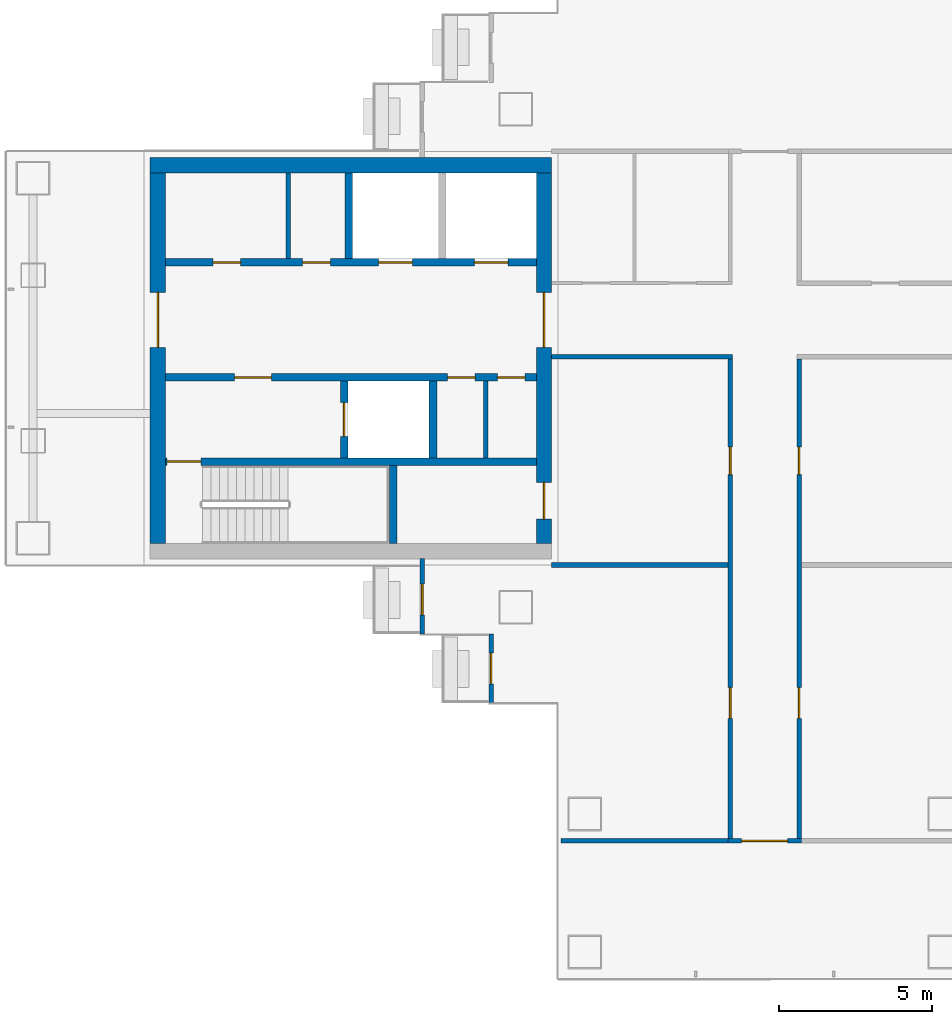
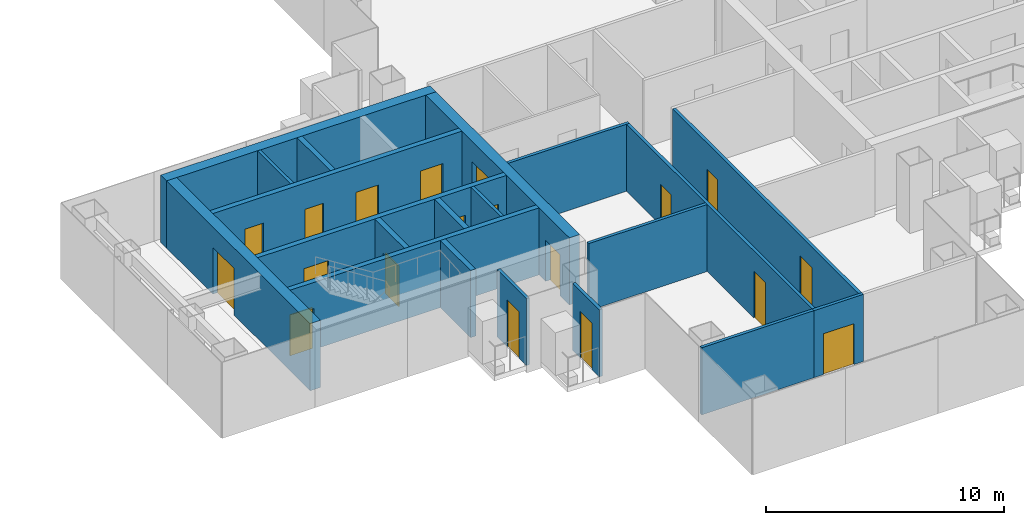
# One storey, part 11 of 17: 20 walls, 19 doors, 19 openings.
"""IFC4 building model written with IfcOpenShell, lengths in metres."""

import ifcopenshell
import ifcopenshell.guid

model = None  # the IFC model being written
_history = None  # IfcOwnerHistory: only IFC2X3 demands one
_inside = {}  # id of a spatial element -> (the spatial element, [elements in it])
_under = {}  # id of a project, library or spatial element -> (it, [spatial elements below it])
_declared = {}  # id of a project -> (the project, [libraries it declares])
_typed = {}  # id of a type object -> (the type object, [elements of that type])
_made_of = {}  # id of a material, layer set ... -> (it, [elements and type objects made of it])


def new_model(schema):
    """Start an empty IFC model of exactly this schema.

    Asked for "IFC4X3", IfcOpenShell would pick the latest addendum, in which some entities
    have other attributes; the version numbers below select the first issue.
    IFC2X3 requires an IfcOwnerHistory on every rooted entity: one is made here for all.
    """
    global model, _history
    if schema == "IFC4X3":
        model = ifcopenshell.file(schema_version=(4, 3, 0, 0))
    else:
        model = ifcopenshell.file(schema=schema)
    _inside.clear()
    _under.clear()
    _declared.clear()
    _typed.clear()
    _made_of.clear()
    _history = None
    if model.schema == "IFC2X3":
        org = make("IfcOrganization", Name="unknown")
        user = make(
            "IfcPersonAndOrganization",
            ThePerson=make("IfcPerson", FamilyName="unknown"),
            TheOrganization=org,
        )
        app = make(
            "IfcApplication",
            ApplicationDeveloper=org,
            Version="unknown",
            ApplicationFullName="unknown",
            ApplicationIdentifier="unknown",
        )
        _history = make(
            "IfcOwnerHistory",
            OwningUser=user,
            OwningApplication=app,
            ChangeAction="ADDED",
            CreationDate=0,
        )
    return model


def make(cls, **values):
    """One entity of the class cls with the attributes given. An attribute that is None is left unset."""
    return model.create_entity(
        cls, **{name: value for name, value in values.items() if value is not None}
    )


def rooted(cls, **values):
    """An entity with a GlobalId (a new one), such as an element, a storey or a relation."""
    return make(cls, GlobalId=ifcopenshell.guid.new(), OwnerHistory=_history, **values)


def si_unit(unit_type, name, prefix=None):
    """IfcSIUnit, for example si_unit("LENGTHUNIT", "METRE", prefix="MILLI")."""
    return make("IfcSIUnit", UnitType=unit_type, Prefix=prefix, Name=name)


def assignment(units):
    """IfcUnitAssignment: the units of a project."""
    return None if units is None else make("IfcUnitAssignment", Units=units)


def point(xyz):
    """IfcCartesianPoint."""
    return None if xyz is None else make("IfcCartesianPoint", Coordinates=xyz)


def direction(xyz):
    """IfcDirection."""
    return None if xyz is None else make("IfcDirection", DirectionRatios=xyz)


def frame(location, z_axis=None, x_axis=None):
    """IfcAxis2Placement3D, a coordinate frame: its origin and axes. An axis left out is left unset."""
    return make(
        "IfcAxis2Placement3D",
        Location=point(location),
        Axis=direction(z_axis),
        RefDirection=direction(x_axis),
    )


def frame_2d(location, x_axis=None):
    """IfcAxis2Placement2D, a coordinate frame in the plane: its origin and x axis."""
    return make(
        "IfcAxis2Placement2D", Location=point(location), RefDirection=direction(x_axis)
    )


def origin():
    """The frame at (0, 0, 0) with its axes left unset."""
    return frame((0.0, 0.0, 0.0))


def place(relative_to, where):
    """IfcLocalPlacement: puts the frame where relative to a parent placement (None: the world)."""
    return make(
        "IfcLocalPlacement", PlacementRelTo=relative_to, RelativePlacement=where
    )


def context(
    kind, dimensions, precision=None, world=None, true_north=None, identifier=None
):
    """IfcGeometricRepresentationContext, for example the 3D "Model" context."""
    return make(
        "IfcGeometricRepresentationContext",
        ContextIdentifier=identifier,
        ContextType=kind,
        CoordinateSpaceDimension=dimensions,
        Precision=precision,
        WorldCoordinateSystem=world,
        TrueNorth=true_north,
    )


def subcontext(parent, identifier, kind, view, scale=None):
    """IfcGeometricRepresentationSubContext, for example "Body" below "Model"."""
    return make(
        "IfcGeometricRepresentationSubContext",
        ContextIdentifier=identifier,
        ContextType=kind,
        ParentContext=parent,
        TargetScale=scale,
        TargetView=view,
    )


def project(units=None, contexts=None):
    """IfcProject with its units and contexts."""
    return rooted(
        "IfcProject",
        Name="project",
        RepresentationContexts=contexts,
        UnitsInContext=assignment(units),
    )


def spatial(cls, under=None, at=None, **own):
    """A site, building, storey or space (cls), placed at a placement, below another one or the project."""
    s = rooted(cls, ObjectPlacement=at, **own)
    if under is not None:
        _under.setdefault(under.id(), (under, []))[1].append(s)
    return s


def profile(cls, at=None, kind="AREA", **sizes):
    """A parametric profile (cls). Its sizes go by their IFC names, for example OverallWidth=200.0."""
    return make(cls, ProfileType=kind, Position=at, **sizes)


def rectangle(**sizes):
    """IfcRectangleProfileDef."""
    return profile("IfcRectangleProfileDef", **sizes)


def extrude(swept, where, along, depth):
    """IfcExtrudedAreaSolid: the profile swept, set in the frame where, extruded along a direction by depth."""
    return make(
        "IfcExtrudedAreaSolid",
        SweptArea=swept,
        Position=where,
        ExtrudedDirection=direction(along),
        Depth=depth,
    )


def shape(context_of_items, identifier, shape_type, items):
    """IfcShapeRepresentation: the items that make up one representation, for example the "Body"."""
    return make(
        "IfcShapeRepresentation",
        ContextOfItems=context_of_items,
        RepresentationIdentifier=identifier,
        RepresentationType=shape_type,
        Items=items,
    )


def material(Name=None, Category=None):
    """IfcMaterial."""
    return make("IfcMaterial", Name=Name, Category=Category)


def layer(
    of_material, thickness, ventilated=None, Name=None, Category=None, Priority=None
):
    """IfcMaterialLayer: one layer of a wall or slab, of a material (None: an air gap)."""
    return make(
        "IfcMaterialLayer",
        Material=of_material,
        LayerThickness=thickness,
        IsVentilated=ventilated,
        Name=Name,
        Category=Category,
        Priority=Priority,
    )


def layer_set(layers, Name=None):
    """IfcMaterialLayerSet."""
    return make("IfcMaterialLayerSet", MaterialLayers=layers, LayerSetName=Name)


def made_of(thing, what):
    """Note that an element or type object is made of a material, layer set ...; save() writes the relation."""
    if what is not None:
        _made_of.setdefault(what.id(), (what, []))[1].append(thing)
    return thing


def type_object(cls, material=None, **own):
    """A type object (cls), such as IfcWallType, which elements share."""
    return made_of(rooted(cls, **own), material)


def element(
    cls,
    number,
    at=None,
    inside=None,
    cuts=None,
    type_object=None,
    material=None,
    context=None,
    identifier="Body",
    shape_type=None,
    held_by="IfcProductDefinitionShape",
    body=None,
    shapes=None,
    **own,
):
    """One element of the class cls, such as IfcWall. Its Tag is "e" and its number.

    at: its placement. inside: the storey or other place that contains it. cuts: it is an
    opening in that element (IfcRelVoidsElement). A single representation is given by context,
    identifier, shape_type and body (its items); several are given by shapes. held_by: the class
    of the entity that holds the representations. save() writes the other relations.
    """
    e = rooted(cls, Tag="e%d" % number, ObjectPlacement=at, **own)
    if body is not None:
        shapes = [shape(context, identifier, shape_type, body)]
    if shapes is not None:
        e.Representation = make(held_by, Representations=shapes)
    if inside is not None:
        _inside.setdefault(inside.id(), (inside, []))[1].append(e)
    if cuts is not None:
        rooted(
            "IfcRelVoidsElement", RelatingBuildingElement=cuts, RelatedOpeningElement=e
        )
    if type_object is not None:
        _typed.setdefault(type_object.id(), (type_object, []))[1].append(e)
    return made_of(e, material)


def fill(opening, filler):
    """IfcRelFillsElement: the door or window that sits in an opening."""
    return rooted(
        "IfcRelFillsElement",
        RelatingOpeningElement=opening,
        RelatedBuildingElement=filler,
    )


def aggregate(whole, parts):
    """IfcRelAggregates: a whole, such as a stair, and the parts it consists of."""
    return rooted("IfcRelAggregates", RelatingObject=whole, RelatedObjects=parts)


def save(model, path):
    """Write the relations noted so far, then the file.

    IfcRelAggregates (storeys below a building ...), IfcRelContainedInSpatialStructure (elements
    in a storey), IfcRelDefinesByType, IfcRelAssociatesMaterial and IfcRelDeclares: one each for
    every whole, place, type object, material and project.
    """
    for whole, parts in _under.values():
        aggregate(whole, parts)
    for where, things in _inside.values():
        rooted(
            "IfcRelContainedInSpatialStructure",
            RelatedElements=things,
            RelatingStructure=where,
        )
    for kind, things in _typed.values():
        rooted("IfcRelDefinesByType", RelatedObjects=things, RelatingType=kind)
    for what, things in _made_of.values():
        rooted("IfcRelAssociatesMaterial", RelatedObjects=things, RelatingMaterial=what)
    for by, libraries in _declared.values():
        rooted("IfcRelDeclares", RelatingContext=by, RelatedDefinitions=libraries)
    model.write(path)


model = new_model("IFC4")

# Units and contexts
model_context = context("Model", 3, precision=1e-05, world=origin(), true_north=direction((0.0, 1.0)))
body_context = subcontext(model_context, "Body", "Model", "MODEL_VIEW")
ifc_project = project(units=[si_unit("LENGTHUNIT", "METRE"), si_unit("AREAUNIT", "SQUARE_METRE"), si_unit("VOLUMEUNIT", "CUBIC_METRE"), si_unit("PLANEANGLEUNIT", "RADIAN"), si_unit("MASSUNIT", "GRAM", prefix="KILO")], contexts=[model_context])

# Site, building, storey
site_placement = place(None, origin())
site = spatial("IfcSite", under=ifc_project, at=site_placement, CompositionType="ELEMENT")
building_placement = place(site_placement, origin())
building = spatial("IfcBuilding", under=site, at=building_placement, Name="Shamsa Quay Exchange Towers", CompositionType="ELEMENT")
storey_placement = place(building_placement, frame((0.0, 0.0, 174.0)))
storey = spatial("IfcBuildingStorey", under=building, at=storey_placement, Name="L41", CompositionType="ELEMENT", Elevation=174.0)

# Wall, opening, door
ifc_material_1 = material(Name="Aluminium EN AW-6063 T6, black anodised, with black enamelled glass infill", Category="aluminium")
ifc_layer_1 = layer(ifc_material_1, 0.14990234375)
ifc_layer_set_1 = layer_set([ifc_layer_1], Name="BALCONY DOOR BAY WALL 150")
wall_type_1 = type_object("IfcWallType", Name="BALCONY DOOR BAY WALL 150", PredefinedType="SOLIDWALL", material=ifc_layer_set_1)
wall_1_placement = place(storey_placement, frame((22.574951171875, -9.0, 0.0), z_axis=(0.0, 0.0, 1.0), x_axis=(0.0, 1.0, 0.0)))
wall_1 = element("IfcWall", 1, at=wall_1_placement, inside=storey, type_object=wall_type_1, Name="Door bay T2-PKWN L41", PredefinedType="SOLIDWALL", context=body_context, shape_type="SweptSolid", body=[
    extrude(rectangle(XDim=2.45703125, YDim=0.14990234375, at=frame_2d((1.228515625, 0.0))), origin(), (0.0, 0.0, 1.0), 3.449951171875),
])
opening_1_placement = place(wall_1_placement, frame((0.625, 0.0, 0.0)))
opening_1 = element("IfcOpeningElement", 2, at=opening_1_placement, cuts=wall_1, Name="Opening XD269", PredefinedType="OPENING", context=body_context, shape_type="SweptSolid", body=[
    extrude(rectangle(XDim=1.0, YDim=2.39990234375, at=frame_2d((0.5, 1.199951171875))), frame((0.0, 0.0849609375, 0.0), z_axis=(0.0, -1.0, 0.0), x_axis=(1.0, 0.0, 0.0)), (0.0, 0.0, 1.0), 0.169921875),
])
ifc_material_2 = material(Name="Aluminium EN AW-6063 T6, black anodised, with laminated glass leaf", Category="aluminium")
door_type_1 = type_object("IfcDoorType", Name="BALCONY DOOR 1000x2400", OperationType="SINGLE_SWING_LEFT", PredefinedType="DOOR", material=ifc_material_2)
door_1_placement = place(opening_1_placement, origin())
door_1 = element("IfcDoor", 3, at=door_1_placement, inside=storey, type_object=door_type_1, Name="Balcony door T2-PKWN L41", OperationType="SINGLE_SWING_LEFT", OverallHeight=2.39990234375, OverallWidth=1.0, PredefinedType="DOOR", context=body_context, shape_type="SweptSolid", body=[
    extrude(rectangle(XDim=1.0, YDim=2.39990234375, at=frame_2d((0.5, 1.199951171875))), frame((0.0, 0.02490234375, 0.0), z_axis=(0.0, -1.0, 0.0), x_axis=(1.0, 0.0, 0.0)), (0.0, 0.0, 1.0), 0.050048828125),
])
fill(opening_1, door_1)

wall_2_placement = place(storey_placement, frame((24.824951171875, -11.25, 0.0), z_axis=(0.0, 0.0, 1.0), x_axis=(0.0, 1.0, 0.0)))
wall_2 = element("IfcWall", 4, at=wall_2_placement, inside=storey, type_object=wall_type_1, Name="Door bay T2-PKWN L41", PredefinedType="SOLIDWALL", context=body_context, shape_type="SweptSolid", body=[
    extrude(rectangle(XDim=2.25, YDim=0.14990234375, at=frame_2d((1.125, 0.0))), origin(), (0.0, 0.0, 1.0), 3.449951171875),
])
opening_2_placement = place(wall_2_placement, frame((0.625, 0.0, 0.0)))
opening_2 = element("IfcOpeningElement", 5, at=opening_2_placement, cuts=wall_2, Name="Opening XD270", PredefinedType="OPENING", context=body_context, shape_type="SweptSolid", body=[
    extrude(rectangle(XDim=1.0, YDim=2.39990234375, at=frame_2d((0.5, 1.199951171875))), frame((0.0, 0.0849609375, 0.0), z_axis=(0.0, -1.0, 0.0), x_axis=(1.0, 0.0, 0.0)), (0.0, 0.0, 1.0), 0.169921875),
])
door_2_placement = place(opening_2_placement, origin())
door_2 = element("IfcDoor", 6, at=door_2_placement, inside=storey, type_object=door_type_1, Name="Balcony door T2-PKWN L41", OperationType="SINGLE_SWING_RIGHT", OverallHeight=2.39990234375, OverallWidth=1.0, PredefinedType="DOOR", context=body_context, shape_type="SweptSolid", body=[
    extrude(rectangle(XDim=1.0, YDim=2.39990234375, at=frame_2d((0.5, 1.199951171875))), frame((0.0, 0.02490234375, 0.0), z_axis=(0.0, -1.0, 0.0), x_axis=(1.0, 0.0, 0.0)), (0.0, 0.0, 1.0), 0.050048828125),
])
fill(opening_2, door_2)

# Wall
ifc_material_3 = material(Name="Concrete C60/75", Category="concrete")
ifc_layer_2 = layer(ifc_material_3, 0.5)
ifc_layer_set_2 = layer_set([ifc_layer_2], Name="CORE WALL 500 C60/75")
wall_type_2 = type_object("IfcWallType", Name="CORE WALL 500 C60/75", PredefinedType="SHEAR", material=ifc_layer_set_2)
wall_3_placement = place(storey_placement, frame((13.699951171875, 6.300048828125, 0.0)))
element("IfcWall", 7, at=wall_3_placement, inside=storey, type_object=wall_type_2, Name="Core wall T2A-R19-PN", PredefinedType="SHEAR", context=body_context, shape_type="SweptSolid", body=[
    extrude(rectangle(XDim=13.10009765625, YDim=0.5, at=frame_2d((6.550048828125, 0.0))), origin(), (0.0, 0.0, 1.0), 3.449951171875),
])

# Wall, opening, door
wall_4_placement = place(storey_placement, frame((13.949951171875, 6.050048828125, 0.0), z_axis=(0.0, 0.0, 1.0), x_axis=(0.0, -1.0, 0.0)))
wall_4 = element("IfcWall", 8, at=wall_4_placement, inside=storey, type_object=wall_type_2, Name="Core wall T2A-R19-PF", PredefinedType="SHEAR", context=body_context, shape_type="SweptSolid", body=[
    extrude(rectangle(XDim=12.10009765625, YDim=0.5, at=frame_2d((6.050048828125, 0.0))), origin(), (0.0, 0.0, 1.0), 3.449951171875),
])
opening_3_placement = place(wall_4_placement, frame((3.89990234375, 0.0, 0.0)))
opening_3 = element("IfcOpeningElement", 9, at=opening_3_placement, cuts=wall_4, Name="Opening T2A-R19-LBD01", PredefinedType="OPENING", context=body_context, shape_type="SweptSolid", body=[
    extrude(rectangle(XDim=1.800048828125, YDim=2.39990234375, at=frame_2d((0.89990234375, 1.199951171875))), frame((0.0, 0.260009765625, 0.0), z_axis=(0.0, -1.0, 0.0), x_axis=(1.0, 0.0, 0.0)), (0.0, 0.0, 1.0), 0.52001953125),
])
ifc_material_4 = material(Name="Steel, fire rated", Category="steel")
door_type_2 = type_object("IfcDoorType", Name="LIFT LOBBY DOOR PAIR 1800", OperationType="DOUBLE_DOOR_SINGLE_SWING", PredefinedType="DOOR", material=ifc_material_4)
door_3_placement = place(opening_3_placement, origin())
door_3 = element("IfcDoor", 10, at=door_3_placement, inside=storey, type_object=door_type_2, Name="T2A-R19-LBD01", OperationType="DOUBLE_DOOR_SINGLE_SWING", OverallHeight=2.39990234375, OverallWidth=1.800048828125, PredefinedType="DOOR", context=body_context, shape_type="SweptSolid", body=[
    extrude(rectangle(XDim=1.800048828125, YDim=2.39990234375, at=frame_2d((0.89990234375, 1.199951171875))), frame((0.0, 0.02490234375, 0.0), z_axis=(0.0, -1.0, 0.0), x_axis=(1.0, 0.0, 0.0)), (0.0, 0.0, 1.0), 0.050048828125),
])
fill(opening_3, door_3)

# Wall, openings, doors
wall_5_placement = place(storey_placement, frame((26.550048828125, 6.050048828125, 0.0), z_axis=(0.0, 0.0, 1.0), x_axis=(0.0, -1.0, 0.0)))
wall_5 = element("IfcWall", 11, at=wall_5_placement, inside=storey, type_object=wall_type_2, Name="Core wall T2A-R19-PB", PredefinedType="SHEAR", context=body_context, shape_type="SweptSolid", body=[
    extrude(rectangle(XDim=12.10009765625, YDim=0.5, at=frame_2d((6.050048828125, 0.0))), origin(), (0.0, 0.0, 1.0), 3.449951171875),
])
opening_4_placement = place(wall_5_placement, frame((10.10009765625, 0.0, 0.0)))
opening_4 = element("IfcOpeningElement", 12, at=opening_4_placement, cuts=wall_5, Name="Opening T2A-R19-RD02", PredefinedType="OPENING", context=body_context, shape_type="SweptSolid", body=[
    extrude(rectangle(XDim=1.199951171875, YDim=2.10009765625, at=frame_2d((0.60009765625, 1.050048828125))), frame((0.0, 0.260009765625, 0.0), z_axis=(0.0, -1.0, 0.0), x_axis=(1.0, 0.0, 0.0)), (0.0, 0.0, 1.0), 0.52001953125),
])
opening_5_placement = place(wall_5_placement, frame((3.89990234375, 0.0, 0.0)))
opening_5 = element("IfcOpeningElement", 13, at=opening_5_placement, cuts=wall_5, Name="Opening T2A-R19-LBD03", PredefinedType="OPENING", context=body_context, shape_type="SweptSolid", body=[
    extrude(rectangle(XDim=1.800048828125, YDim=2.39990234375, at=frame_2d((0.89990234375, 1.199951171875))), frame((0.0, 0.260009765625, 0.0), z_axis=(0.0, -1.0, 0.0), x_axis=(1.0, 0.0, 0.0)), (0.0, 0.0, 1.0), 0.52001953125),
])
door_4_placement = place(opening_5_placement, origin())
door_4 = element("IfcDoor", 14, at=door_4_placement, inside=storey, type_object=door_type_2, Name="T2A-R19-LBD03", OperationType="DOUBLE_DOOR_SINGLE_SWING", OverallHeight=2.39990234375, OverallWidth=1.800048828125, PredefinedType="DOOR", context=body_context, shape_type="SweptSolid", body=[
    extrude(rectangle(XDim=1.800048828125, YDim=2.39990234375, at=frame_2d((0.89990234375, 1.199951171875))), frame((0.0, 0.02490234375, 0.0), z_axis=(0.0, -1.0, 0.0), x_axis=(1.0, 0.0, 0.0)), (0.0, 0.0, 1.0), 0.050048828125),
])
fill(opening_5, door_4)
door_type_3 = type_object("IfcDoorType", Name="RISER ACCESS DOOR 1200", OperationType="SINGLE_SWING_LEFT", PredefinedType="DOOR", material=ifc_material_4)
door_5_placement = place(opening_4_placement, origin())
door_5 = element("IfcDoor", 15, at=door_5_placement, inside=storey, type_object=door_type_3, Name="T2A-R19-RD02", OperationType="SINGLE_SWING_RIGHT", OverallHeight=2.10009765625, OverallWidth=1.199951171875, PredefinedType="DOOR", context=body_context, shape_type="SweptSolid", body=[
    extrude(rectangle(XDim=1.199951171875, YDim=2.10009765625, at=frame_2d((0.60009765625, 1.050048828125))), frame((0.0, 0.02490234375, 0.0), z_axis=(0.0, -1.0, 0.0), x_axis=(1.0, 0.0, 0.0)), (0.0, 0.0, 1.0), 0.050048828125),
])
fill(opening_4, door_5)

# Walls
ifc_material_5 = material(Name="Gypsum board on steel studs, EI 60", Category="steel")
ifc_layer_3 = layer(ifc_material_5, 0.14990234375)
ifc_layer_set_3 = layer_set([ifc_layer_3], Name="FIRE PARTITION 150")
wall_type_3 = type_object("IfcWallType", Name="FIRE PARTITION 150", PredefinedType="PARTITIONING", material=ifc_layer_set_3)
wall_6_placement = place(storey_placement, frame((24.64990234375, -3.25, 0.0), z_axis=(0.0, 0.0, 1.0), x_axis=(0.0, 1.0, 0.0)))
element("IfcWall", 16, at=wall_6_placement, inside=storey, type_object=wall_type_3, Name="Partition T2A-R19-EC0", PredefinedType="PARTITIONING", context=body_context, shape_type="SweptSolid", body=[
    extrude(rectangle(XDim=2.5, YDim=0.14990234375, at=frame_2d((1.25, 0.0))), origin(), (0.0, 0.0, 1.0), 3.449951171875),
])
wall_7_placement = place(storey_placement, frame((18.199951171875, 3.25, 0.0), z_axis=(0.0, 0.0, 1.0), x_axis=(0.0, 1.0, 0.0)))
element("IfcWall", 17, at=wall_7_placement, inside=storey, type_object=wall_type_3, Name="Partition T2A-R19-FC0", PredefinedType="PARTITIONING", context=body_context, shape_type="SweptSolid", body=[
    extrude(rectangle(XDim=2.800048828125, YDim=0.14990234375, at=frame_2d((1.39990234375, 0.0))), origin(), (0.0, 0.0, 1.0), 3.449951171875),
])
ifc_material_6 = material(Name="Gypsum board partition on metal studs")
ifc_layer_4 = layer(ifc_material_6, 0.14990234375)
ifc_layer_set_4 = layer_set([ifc_layer_4], Name="Partition 150 mm EI 60")
wall_type_4 = type_object("IfcWallType", Name="Partition 150 mm EI 60", PredefinedType="PARTITIONING", material=ifc_layer_set_4)
wall_8_placement = place(storey_placement, frame((32.699951171875, 0.0498046875, 0.0), z_axis=(0.0, 0.0, 1.0), x_axis=(-1.0, 0.0, 0.0)))
element("IfcWall", 18, at=wall_8_placement, inside=storey, type_object=wall_type_4, Name="Partition T2-R19-W03", PredefinedType="PARTITIONING", context=body_context, shape_type="SweptSolid", body=[
    extrude(rectangle(XDim=5.89990234375, YDim=0.14990234375, at=frame_2d((2.949951171875, 0.0))), origin(), (0.0, 0.0, 1.0), 3.449951171875),
])

# Wall, openings, doors
wall_9_placement = place(storey_placement, frame((32.625, -15.675048828125, 0.0), z_axis=(0.0, 0.0, 1.0), x_axis=(0.0, 1.0, 0.0)))
wall_9 = element("IfcWall", 19, at=wall_9_placement, inside=storey, type_object=wall_type_4, Name="Partition T2-R19-W05", PredefinedType="PARTITIONING", context=body_context, shape_type="SweptSolid", body=[
    extrude(rectangle(XDim=15.64990234375, YDim=0.14990234375, at=frame_2d((7.824951171875, 0.0))), origin(), (0.0, 0.0, 1.0), 3.449951171875),
])
opening_6_placement = place(wall_9_placement, frame((11.875, 0.0, 0.0)))
opening_6 = element("IfcOpeningElement", 20, at=opening_6_placement, cuts=wall_9, Name="Opening T2-R19-D06", PredefinedType="OPENING", context=body_context, shape_type="SweptSolid", body=[
    extrude(rectangle(XDim=0.89990234375, YDim=2.10009765625, at=frame_2d((0.449951171875, 1.050048828125))), frame((0.0, 0.0849609375, 0.0), z_axis=(0.0, -1.0, 0.0), x_axis=(1.0, 0.0, 0.0)), (0.0, 0.0, 1.0), 0.169921875),
])
opening_7_placement = place(wall_9_placement, frame((3.925048828125, 0.0, 0.0)))
opening_7 = element("IfcOpeningElement", 21, at=opening_7_placement, cuts=wall_9, Name="Opening T2-R19-D07", PredefinedType="OPENING", context=body_context, shape_type="SweptSolid", body=[
    extrude(rectangle(XDim=1.0, YDim=2.39990234375, at=frame_2d((0.5, 1.199951171875))), frame((0.0, 0.0849609375, 0.0), z_axis=(0.0, -1.0, 0.0), x_axis=(1.0, 0.0, 0.0)), (0.0, 0.0, 1.0), 0.169921875),
])
ifc_material_7 = material(Name="Timber door leaf in a metal frame", Category="wood")
door_type_4 = type_object("IfcDoorType", Name="Door 1000x2400 FD30S", OperationType="NOTDEFINED", PredefinedType="DOOR", material=ifc_material_7)
door_6_placement = place(opening_7_placement, origin())
door_6 = element("IfcDoor", 22, at=door_6_placement, inside=storey, type_object=door_type_4, Name="Door T2-R19-D07", OperationType="SINGLE_SWING_LEFT", OverallHeight=2.39990234375, OverallWidth=1.0, PredefinedType="DOOR", context=body_context, shape_type="SweptSolid", body=[
    extrude(rectangle(XDim=1.0, YDim=2.39990234375, at=frame_2d((0.5, 1.199951171875))), frame((0.0, 0.02490234375, 0.0), z_axis=(0.0, -1.0, 0.0), x_axis=(1.0, 0.0, 0.0)), (0.0, 0.0, 1.0), 0.050048828125),
])
fill(opening_7, door_6)
door_type_5 = type_object("IfcDoorType", Name="Door 900x2100 FD30S", OperationType="NOTDEFINED", PredefinedType="DOOR", material=ifc_material_7)
door_7_placement = place(opening_6_placement, origin())
door_7 = element("IfcDoor", 23, at=door_7_placement, inside=storey, type_object=door_type_5, Name="Door T2-R19-D06", OperationType="SINGLE_SWING_RIGHT", OverallHeight=2.10009765625, OverallWidth=0.89990234375, PredefinedType="DOOR", context=body_context, shape_type="SweptSolid", body=[
    extrude(rectangle(XDim=0.89990234375, YDim=2.10009765625, at=frame_2d((0.449951171875, 1.050048828125))), frame((0.0, 0.02490234375, 0.0), z_axis=(0.0, -1.0, 0.0), x_axis=(1.0, 0.0, 0.0)), (0.0, 0.0, 1.0), 0.050048828125),
])
fill(opening_6, door_7)

wall_10_placement = place(storey_placement, frame((34.875, -0.025146484375, 0.0), z_axis=(0.0, 0.0, 1.0), x_axis=(0.0, -1.0, 0.0)))
wall_10 = element("IfcWall", 24, at=wall_10_placement, inside=storey, type_object=wall_type_4, Name="Partition T2-R19-W07", PredefinedType="PARTITIONING", context=body_context, shape_type="SweptSolid", body=[
    extrude(rectangle(XDim=15.64990234375, YDim=0.14990234375, at=frame_2d((7.824951171875, 0.0))), origin(), (0.0, 0.0, 1.0), 3.449951171875),
])
opening_8_placement = place(wall_10_placement, frame((10.724853515625, 0.0, 0.0)))
opening_8 = element("IfcOpeningElement", 25, at=opening_8_placement, cuts=wall_10, Name="Opening T2-R19-D02", PredefinedType="OPENING", context=body_context, shape_type="SweptSolid", body=[
    extrude(rectangle(XDim=1.0, YDim=2.39990234375, at=frame_2d((0.5, 1.199951171875))), frame((0.0, 0.0849609375, 0.0), z_axis=(0.0, -1.0, 0.0), x_axis=(1.0, 0.0, 0.0)), (0.0, 0.0, 1.0), 0.169921875),
])
opening_9_placement = place(wall_10_placement, frame((2.875, 0.0, 0.0)))
opening_9 = element("IfcOpeningElement", 26, at=opening_9_placement, cuts=wall_10, Name="Opening T2-R19-D03", PredefinedType="OPENING", context=body_context, shape_type="SweptSolid", body=[
    extrude(rectangle(XDim=0.89990234375, YDim=2.10009765625, at=frame_2d((0.449951171875, 1.050048828125))), frame((0.0, 0.0849609375, 0.0), z_axis=(0.0, -1.0, 0.0), x_axis=(1.0, 0.0, 0.0)), (0.0, 0.0, 1.0), 0.169921875),
])
door_8_placement = place(opening_8_placement, origin())
door_8 = element("IfcDoor", 27, at=door_8_placement, inside=storey, type_object=door_type_4, Name="Door T2-R19-D02", OperationType="SINGLE_SWING_RIGHT", OverallHeight=2.39990234375, OverallWidth=1.0, PredefinedType="DOOR", context=body_context, shape_type="SweptSolid", body=[
    extrude(rectangle(XDim=1.0, YDim=2.39990234375, at=frame_2d((0.5, 1.199951171875))), frame((0.0, 0.02490234375, 0.0), z_axis=(0.0, -1.0, 0.0), x_axis=(1.0, 0.0, 0.0)), (0.0, 0.0, 1.0), 0.050048828125),
])
fill(opening_8, door_8)
door_9_placement = place(opening_9_placement, origin())
door_9 = element("IfcDoor", 28, at=door_9_placement, inside=storey, type_object=door_type_5, Name="Door T2-R19-D03", OperationType="SINGLE_SWING_LEFT", OverallHeight=2.10009765625, OverallWidth=0.89990234375, PredefinedType="DOOR", context=body_context, shape_type="SweptSolid", body=[
    extrude(rectangle(XDim=0.89990234375, YDim=2.10009765625, at=frame_2d((0.449951171875, 1.050048828125))), frame((0.0, 0.02490234375, 0.0), z_axis=(0.0, -1.0, 0.0), x_axis=(1.0, 0.0, 0.0)), (0.0, 0.0, 1.0), 0.050048828125),
])
fill(opening_9, door_9)

# Wall, opening, door
wall_11_placement = place(storey_placement, frame((34.949951171875, -15.75, 0.0), z_axis=(0.0, 0.0, 1.0), x_axis=(-1.0, 0.0, 0.0)))
wall_11 = element("IfcWall", 29, at=wall_11_placement, inside=storey, type_object=wall_type_4, Name="Partition T2-R19-W10", PredefinedType="PARTITIONING", context=body_context, shape_type="SweptSolid", body=[
    extrude(rectangle(XDim=2.39990234375, YDim=0.14990234375, at=frame_2d((1.199951171875, 0.0))), origin(), (0.0, 0.0, 1.0), 3.449951171875),
])
opening_10_placement = place(wall_11_placement, frame((0.449951171875, 0.0, 0.0)))
opening_10 = element("IfcOpeningElement", 30, at=opening_10_placement, cuts=wall_11, Name="Opening T2-R19-D05", PredefinedType="OPENING", context=body_context, shape_type="SweptSolid", body=[
    extrude(rectangle(XDim=1.5, YDim=2.10009765625, at=frame_2d((0.75, 1.050048828125))), frame((0.0, 0.0849609375, 0.0), z_axis=(0.0, -1.0, 0.0), x_axis=(1.0, 0.0, 0.0)), (0.0, 0.0, 1.0), 0.169921875),
])
door_type_6 = type_object("IfcDoorType", Name="Door 1500x2100 FD30S pair", OperationType="NOTDEFINED", PredefinedType="DOOR", material=ifc_material_7)
door_10_placement = place(opening_10_placement, origin())
door_10 = element("IfcDoor", 31, at=door_10_placement, inside=storey, type_object=door_type_6, Name="Door T2-R19-D05", OperationType="DOUBLE_DOOR_SINGLE_SWING", OverallHeight=2.10009765625, OverallWidth=1.5, PredefinedType="DOOR", context=body_context, shape_type="SweptSolid", body=[
    extrude(rectangle(XDim=1.5, YDim=2.10009765625, at=frame_2d((0.75, 1.050048828125))), frame((0.0, 0.02490234375, 0.0), z_axis=(0.0, -1.0, 0.0), x_axis=(1.0, 0.0, 0.0)), (0.0, 0.0, 1.0), 0.050048828125),
])
fill(opening_10, door_10)

# Walls
wall_12_placement = place(storey_placement, frame((26.800048828125, -6.75, 0.0)))
element("IfcWall", 32, at=wall_12_placement, inside=storey, type_object=wall_type_4, Name="Partition T2-R19-W15", PredefinedType="PARTITIONING", context=body_context, shape_type="SweptSolid", body=[
    extrude(rectangle(XDim=5.75, YDim=0.14990234375, at=frame_2d((2.875, 0.0))), origin(), (0.0, 0.0, 1.0), 3.449951171875),
])
wall_13_placement = place(storey_placement, frame((27.094970703125, -15.75, 0.0)))
element("IfcWall", 33, at=wall_13_placement, inside=storey, type_object=wall_type_4, Name="Partition T2-R19-W17", PredefinedType="PARTITIONING", context=body_context, shape_type="SweptSolid", body=[
    extrude(rectangle(XDim=5.60498046875, YDim=0.14990234375, at=frame_2d((2.802490234375, 0.0))), origin(), (0.0, 0.0, 1.0), 3.449951171875),
])

# Wall, opening, door
ifc_material_8 = material(Name="Concrete C50/60", Category="concrete")
ifc_layer_5 = layer(ifc_material_8, 0.25)
ifc_layer_set_5 = layer_set([ifc_layer_5], Name="SHAFT WALL 250 C50/60")
wall_type_5 = type_object("IfcWallType", Name="SHAFT WALL 250 C50/60", PredefinedType="SHEAR", material=ifc_layer_set_5)
wall_14_placement = place(storey_placement, frame((26.300048828125, -3.375, 0.0), z_axis=(0.0, 0.0, 1.0), x_axis=(-1.0, 0.0, 0.0)))
wall_14 = element("IfcWall", 34, at=wall_14_placement, inside=storey, type_object=wall_type_5, Name="Shaft wall T2A-R19-STL", PredefinedType="SHEAR", context=body_context, shape_type="SweptSolid", body=[
    extrude(rectangle(XDim=12.10009765625, YDim=0.25, at=frame_2d((6.050048828125, 0.0))), origin(), (0.0, 0.0, 1.0), 3.449951171875),
])
opening_11_placement = place(wall_14_placement, frame((10.949951171875, 0.0, 0.0)))
opening_11 = element("IfcOpeningElement", 35, at=opening_11_placement, cuts=wall_14, Name="Opening T2A-R19-SD04", PredefinedType="OPENING", context=body_context, shape_type="SweptSolid", body=[
    extrude(rectangle(XDim=1.10009765625, YDim=2.10009765625, at=frame_2d((0.550048828125, 1.050048828125))), frame((0.0, 0.135009765625, 0.0), z_axis=(0.0, -1.0, 0.0), x_axis=(1.0, 0.0, 0.0)), (0.0, 0.0, 1.0), 0.27001953125),
])
door_type_7 = type_object("IfcDoorType", Name="STAIR DOOR 1100", OperationType="SINGLE_SWING_LEFT", PredefinedType="DOOR", material=ifc_material_4)
door_11_placement = place(opening_11_placement, origin())
door_11 = element("IfcDoor", 36, at=door_11_placement, inside=storey, type_object=door_type_7, Name="T2A-R19-SD04", OperationType="SINGLE_SWING_RIGHT", OverallHeight=2.10009765625, OverallWidth=1.10009765625, PredefinedType="DOOR", context=body_context, shape_type="SweptSolid", body=[
    extrude(rectangle(XDim=1.10009765625, YDim=2.10009765625, at=frame_2d((0.550048828125, 1.050048828125))), frame((0.0, 0.02490234375, 0.0), z_axis=(0.0, -1.0, 0.0), x_axis=(1.0, 0.0, 0.0)), (0.0, 0.0, 1.0), 0.050048828125),
])
fill(opening_11, door_11)

# Wall
wall_15_placement = place(storey_placement, frame((21.625, -6.050048828125, 0.0), z_axis=(0.0, 0.0, 1.0), x_axis=(0.0, 1.0, 0.0)))
element("IfcWall", 37, at=wall_15_placement, inside=storey, type_object=wall_type_5, Name="Shaft wall T2A-R19-STF", PredefinedType="SHEAR", context=body_context, shape_type="SweptSolid", body=[
    extrude(rectangle(XDim=2.550048828125, YDim=0.25, at=frame_2d((1.27490234375, 0.0))), origin(), (0.0, 0.0, 1.0), 3.449951171875),
])

# Wall, openings, doors
wall_16_placement = place(storey_placement, frame((26.300048828125, -0.625, 0.0), z_axis=(0.0, 0.0, 1.0), x_axis=(-1.0, 0.0, 0.0)))
wall_16 = element("IfcWall", 38, at=wall_16_placement, inside=storey, type_object=wall_type_5, Name="Shaft wall T2A-R19-B", PredefinedType="SHEAR", context=body_context, shape_type="SweptSolid", body=[
    extrude(rectangle(XDim=12.10009765625, YDim=0.25, at=frame_2d((6.050048828125, 0.0))), origin(), (0.0, 0.0, 1.0), 3.449951171875),
])
opening_12_placement = place(wall_16_placement, frame((8.64990234375, 0.0, 0.0)))
opening_12 = element("IfcOpeningElement", 39, at=opening_12_placement, cuts=wall_16, Name="Opening T2A-R19-FD05", PredefinedType="OPENING", context=body_context, shape_type="SweptSolid", body=[
    extrude(rectangle(XDim=1.199951171875, YDim=2.10009765625, at=frame_2d((0.60009765625, 1.050048828125))), frame((0.0, 0.135009765625, 0.0), z_axis=(0.0, -1.0, 0.0), x_axis=(1.0, 0.0, 0.0)), (0.0, 0.0, 1.0), 0.27001953125),
])
opening_13_placement = place(wall_16_placement, frame((2.0, 0.0, 0.0)))
opening_13 = element("IfcOpeningElement", 40, at=opening_13_placement, cuts=wall_16, Name="Opening T2A-R19-SV06", PredefinedType="OPENING", context=body_context, shape_type="SweptSolid", body=[
    extrude(rectangle(XDim=0.89990234375, YDim=2.10009765625, at=frame_2d((0.449951171875, 1.050048828125))), frame((0.0, 0.135009765625, 0.0), z_axis=(0.0, -1.0, 0.0), x_axis=(1.0, 0.0, 0.0)), (0.0, 0.0, 1.0), 0.27001953125),
])
opening_14_placement = place(wall_16_placement, frame((0.375, 0.0, 0.0)))
opening_14 = element("IfcOpeningElement", 41, at=opening_14_placement, cuts=wall_16, Name="Opening T2A-R19-SV07", PredefinedType="OPENING", context=body_context, shape_type="SweptSolid", body=[
    extrude(rectangle(XDim=0.89990234375, YDim=2.10009765625, at=frame_2d((0.449951171875, 1.050048828125))), frame((0.0, 0.135009765625, 0.0), z_axis=(0.0, -1.0, 0.0), x_axis=(1.0, 0.0, 0.0)), (0.0, 0.0, 1.0), 0.27001953125),
])
door_type_8 = type_object("IfcDoorType", Name="FIRE SERVICE LOBBY DOOR 1200", OperationType="SINGLE_SWING_LEFT", PredefinedType="DOOR", material=ifc_material_4)
door_12_placement = place(opening_12_placement, origin())
door_12 = element("IfcDoor", 42, at=door_12_placement, inside=storey, type_object=door_type_8, Name="T2A-R19-FD05", OperationType="SINGLE_SWING_RIGHT", OverallHeight=2.10009765625, OverallWidth=1.199951171875, PredefinedType="DOOR", context=body_context, shape_type="SweptSolid", body=[
    extrude(rectangle(XDim=1.199951171875, YDim=2.10009765625, at=frame_2d((0.60009765625, 1.050048828125))), frame((0.0, 0.02490234375, 0.0), z_axis=(0.0, -1.0, 0.0), x_axis=(1.0, 0.0, 0.0)), (0.0, 0.0, 1.0), 0.050048828125),
])
fill(opening_12, door_12)
door_type_9 = type_object("IfcDoorType", Name="SERVICE ROOM DOOR 900", OperationType="SINGLE_SWING_LEFT", PredefinedType="DOOR", material=ifc_material_4)
door_13_placement = place(opening_13_placement, origin())
door_13 = element("IfcDoor", 43, at=door_13_placement, inside=storey, type_object=door_type_9, Name="T2A-R19-SV06", OperationType="SINGLE_SWING_LEFT", OverallHeight=2.10009765625, OverallWidth=0.89990234375, PredefinedType="DOOR", context=body_context, shape_type="SweptSolid", body=[
    extrude(rectangle(XDim=0.89990234375, YDim=2.10009765625, at=frame_2d((0.449951171875, 1.050048828125))), frame((0.0, 0.02490234375, 0.0), z_axis=(0.0, -1.0, 0.0), x_axis=(1.0, 0.0, 0.0)), (0.0, 0.0, 1.0), 0.050048828125),
])
fill(opening_13, door_13)
door_14_placement = place(opening_14_placement, origin())
door_14 = element("IfcDoor", 44, at=door_14_placement, inside=storey, type_object=door_type_9, Name="T2A-R19-SV07", OperationType="SINGLE_SWING_LEFT", OverallHeight=2.10009765625, OverallWidth=0.89990234375, PredefinedType="DOOR", context=body_context, shape_type="SweptSolid", body=[
    extrude(rectangle(XDim=0.89990234375, YDim=2.10009765625, at=frame_2d((0.449951171875, 1.050048828125))), frame((0.0, 0.02490234375, 0.0), z_axis=(0.0, -1.0, 0.0), x_axis=(1.0, 0.0, 0.0)), (0.0, 0.0, 1.0), 0.050048828125),
])
fill(opening_14, door_14)

# Wall, opening, door
wall_17_placement = place(storey_placement, frame((20.02490234375, -3.25, 0.0), z_axis=(0.0, 0.0, 1.0), x_axis=(0.0, 1.0, 0.0)))
wall_17 = element("IfcWall", 45, at=wall_17_placement, inside=storey, type_object=wall_type_5, Name="Shaft wall T2A-R19-FFF", PredefinedType="SHEAR", context=body_context, shape_type="SweptSolid", body=[
    extrude(rectangle(XDim=2.5, YDim=0.25, at=frame_2d((1.25, 0.0))), origin(), (0.0, 0.0, 1.0), 3.449951171875),
])
opening_15_placement = place(wall_17_placement, frame((0.699951171875, 0.0, 0.0)))
opening_15 = element("IfcOpeningElement", 46, at=opening_15_placement, cuts=wall_17, Name="Opening T2A-R19-LDF08", PredefinedType="OPENING", context=body_context, shape_type="SweptSolid", body=[
    extrude(rectangle(XDim=1.10009765625, YDim=2.10009765625, at=frame_2d((0.550048828125, 1.050048828125))), frame((0.0, 0.135009765625, 0.0), z_axis=(0.0, -1.0, 0.0), x_axis=(1.0, 0.0, 0.0)), (0.0, 0.0, 1.0), 0.27001953125),
])
door_type_10 = type_object("IfcDoorType", Name="FIRE SERVICE LANDING DOOR 1100", OperationType="SLIDING_TO_LEFT", PredefinedType="DOOR", material=ifc_material_4)
door_15_placement = place(opening_15_placement, origin())
door_15 = element("IfcDoor", 47, at=door_15_placement, inside=storey, type_object=door_type_10, Name="T2A-R19-LDF08", OperationType="SLIDING_TO_LEFT", OverallHeight=2.10009765625, OverallWidth=1.10009765625, PredefinedType="DOOR", context=body_context, shape_type="SweptSolid", body=[
    extrude(rectangle(XDim=1.10009765625, YDim=2.10009765625, at=frame_2d((0.550048828125, 1.050048828125))), frame((0.0, 0.02490234375, 0.0), z_axis=(0.0, -1.0, 0.0), x_axis=(1.0, 0.0, 0.0)), (0.0, 0.0, 1.0), 0.050048828125),
])
fill(opening_15, door_15)

# Wall
wall_18_placement = place(storey_placement, frame((22.925048828125, -3.25, 0.0), z_axis=(0.0, 0.0, 1.0), x_axis=(0.0, 1.0, 0.0)))
element("IfcWall", 48, at=wall_18_placement, inside=storey, type_object=wall_type_5, Name="Shaft wall T2A-R19-FFB", PredefinedType="SHEAR", context=body_context, shape_type="SweptSolid", body=[
    extrude(rectangle(XDim=2.5, YDim=0.25, at=frame_2d((1.25, 0.0))), origin(), (0.0, 0.0, 1.0), 3.449951171875),
])

# Wall, openings, doors
wall_19_placement = place(storey_placement, frame((14.199951171875, 3.125, 0.0)))
wall_19 = element("IfcWall", 49, at=wall_19_placement, inside=storey, type_object=wall_type_5, Name="Shaft wall T2A-R19-N", PredefinedType="SHEAR", context=body_context, shape_type="SweptSolid", body=[
    extrude(rectangle(XDim=12.10009765625, YDim=0.25, at=frame_2d((6.050048828125, 0.0))), origin(), (0.0, 0.0, 1.0), 3.449951171875),
])
opening_16_placement = place(wall_19_placement, frame((6.949951171875, 0.0, 0.0)))
opening_16 = element("IfcOpeningElement", 50, at=opening_16_placement, cuts=wall_19, Name="Opening T2A-R19-LD09", PredefinedType="OPENING", context=body_context, shape_type="SweptSolid", body=[
    extrude(rectangle(XDim=1.10009765625, YDim=2.10009765625, at=frame_2d((0.550048828125, 1.050048828125))), frame((0.0, 0.135009765625, 0.0), z_axis=(0.0, -1.0, 0.0), x_axis=(1.0, 0.0, 0.0)), (0.0, 0.0, 1.0), 0.27001953125),
])
opening_17_placement = place(wall_19_placement, frame((10.074951171875, 0.0, 0.0)))
opening_17 = element("IfcOpeningElement", 51, at=opening_17_placement, cuts=wall_19, Name="Opening T2A-R19-LD10", PredefinedType="OPENING", context=body_context, shape_type="SweptSolid", body=[
    extrude(rectangle(XDim=1.10009765625, YDim=2.10009765625, at=frame_2d((0.550048828125, 1.050048828125))), frame((0.0, 0.135009765625, 0.0), z_axis=(0.0, -1.0, 0.0), x_axis=(1.0, 0.0, 0.0)), (0.0, 0.0, 1.0), 0.27001953125),
])
opening_18_placement = place(wall_19_placement, frame((1.550048828125, 0.0, 0.0)))
opening_18 = element("IfcOpeningElement", 52, at=opening_18_placement, cuts=wall_19, Name="Opening T2A-R19-SV11", PredefinedType="OPENING", context=body_context, shape_type="SweptSolid", body=[
    extrude(rectangle(XDim=0.89990234375, YDim=2.10009765625, at=frame_2d((0.449951171875, 1.050048828125))), frame((0.0, 0.135009765625, 0.0), z_axis=(0.0, -1.0, 0.0), x_axis=(1.0, 0.0, 0.0)), (0.0, 0.0, 1.0), 0.27001953125),
])
opening_19_placement = place(wall_19_placement, frame((4.47509765625, 0.0, 0.0)))
opening_19 = element("IfcOpeningElement", 53, at=opening_19_placement, cuts=wall_19, Name="Opening T2A-R19-SV12", PredefinedType="OPENING", context=body_context, shape_type="SweptSolid", body=[
    extrude(rectangle(XDim=0.89990234375, YDim=2.10009765625, at=frame_2d((0.449951171875, 1.050048828125))), frame((0.0, 0.135009765625, 0.0), z_axis=(0.0, -1.0, 0.0), x_axis=(1.0, 0.0, 0.0)), (0.0, 0.0, 1.0), 0.27001953125),
])
door_type_11 = type_object("IfcDoorType", Name="LANDING DOOR 1100", OperationType="SLIDING_TO_LEFT", PredefinedType="DOOR", material=ifc_material_4)
door_16_placement = place(opening_16_placement, origin())
door_16 = element("IfcDoor", 54, at=door_16_placement, inside=storey, type_object=door_type_11, Name="T2A-R19-LD09", OperationType="SLIDING_TO_LEFT", OverallHeight=2.10009765625, OverallWidth=1.10009765625, PredefinedType="DOOR", context=body_context, shape_type="SweptSolid", body=[
    extrude(rectangle(XDim=1.10009765625, YDim=2.10009765625, at=frame_2d((0.550048828125, 1.050048828125))), frame((0.0, 0.02490234375, 0.0), z_axis=(0.0, -1.0, 0.0), x_axis=(1.0, 0.0, 0.0)), (0.0, 0.0, 1.0), 0.050048828125),
])
fill(opening_16, door_16)
door_17_placement = place(opening_17_placement, origin())
door_17 = element("IfcDoor", 55, at=door_17_placement, inside=storey, type_object=door_type_11, Name="T2A-R19-LD10", OperationType="SLIDING_TO_LEFT", OverallHeight=2.10009765625, OverallWidth=1.10009765625, PredefinedType="DOOR", context=body_context, shape_type="SweptSolid", body=[
    extrude(rectangle(XDim=1.10009765625, YDim=2.10009765625, at=frame_2d((0.550048828125, 1.050048828125))), frame((0.0, 0.02490234375, 0.0), z_axis=(0.0, -1.0, 0.0), x_axis=(1.0, 0.0, 0.0)), (0.0, 0.0, 1.0), 0.050048828125),
])
fill(opening_17, door_17)
door_18_placement = place(opening_18_placement, origin())
door_18 = element("IfcDoor", 56, at=door_18_placement, inside=storey, type_object=door_type_9, Name="T2A-R19-SV11", OperationType="SINGLE_SWING_LEFT", OverallHeight=2.10009765625, OverallWidth=0.89990234375, PredefinedType="DOOR", context=body_context, shape_type="SweptSolid", body=[
    extrude(rectangle(XDim=0.89990234375, YDim=2.10009765625, at=frame_2d((0.449951171875, 1.050048828125))), frame((0.0, 0.02490234375, 0.0), z_axis=(0.0, -1.0, 0.0), x_axis=(1.0, 0.0, 0.0)), (0.0, 0.0, 1.0), 0.050048828125),
])
fill(opening_18, door_18)
door_19_placement = place(opening_19_placement, origin())
door_19 = element("IfcDoor", 57, at=door_19_placement, inside=storey, type_object=door_type_9, Name="T2A-R19-SV12", OperationType="SINGLE_SWING_LEFT", OverallHeight=2.10009765625, OverallWidth=0.89990234375, PredefinedType="DOOR", context=body_context, shape_type="SweptSolid", body=[
    extrude(rectangle(XDim=0.89990234375, YDim=2.10009765625, at=frame_2d((0.449951171875, 1.050048828125))), frame((0.0, 0.02490234375, 0.0), z_axis=(0.0, -1.0, 0.0), x_axis=(1.0, 0.0, 0.0)), (0.0, 0.0, 1.0), 0.050048828125),
])
fill(opening_19, door_19)

# Wall
wall_20_placement = place(storey_placement, frame((20.175048828125, 3.25, 0.0), z_axis=(0.0, 0.0, 1.0), x_axis=(0.0, 1.0, 0.0)))
element("IfcWall", 58, at=wall_20_placement, inside=storey, type_object=wall_type_5, Name="Shaft wall T2A-R19-D1", PredefinedType="SHEAR", context=body_context, shape_type="SweptSolid", body=[
    extrude(rectangle(XDim=2.800048828125, YDim=0.25, at=frame_2d((1.39990234375, 0.0))), origin(), (0.0, 0.0, 1.0), 3.449951171875),
])

save(model, "model.ifc")
